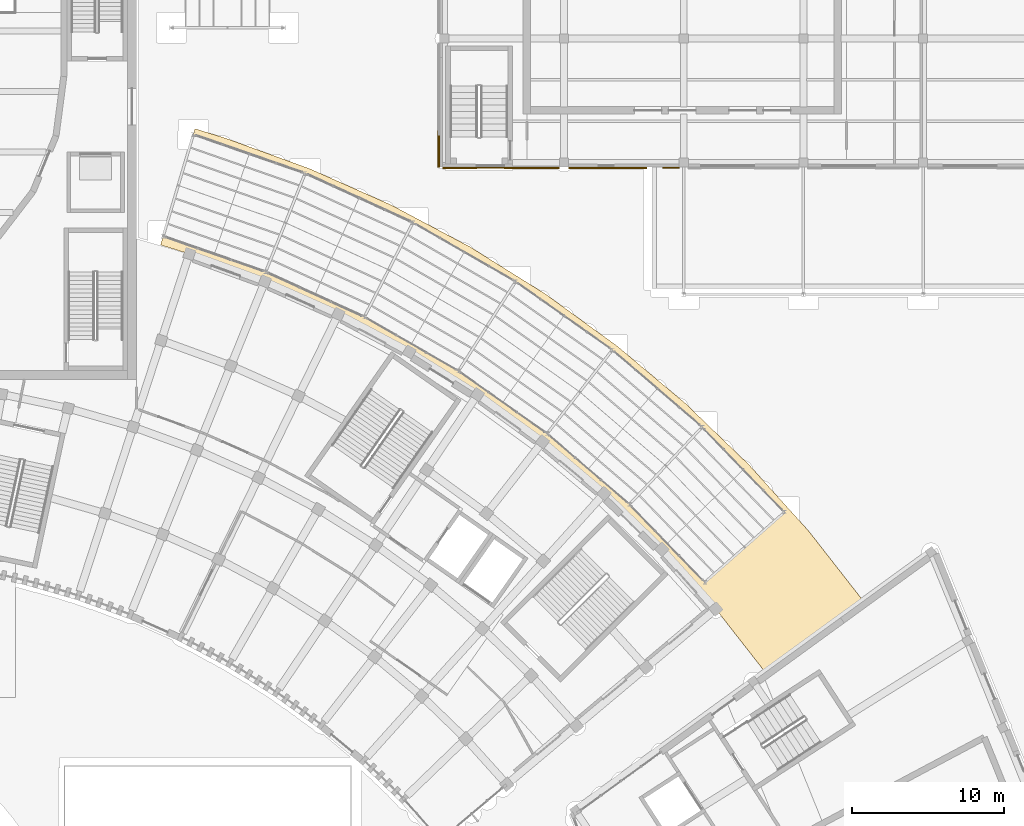
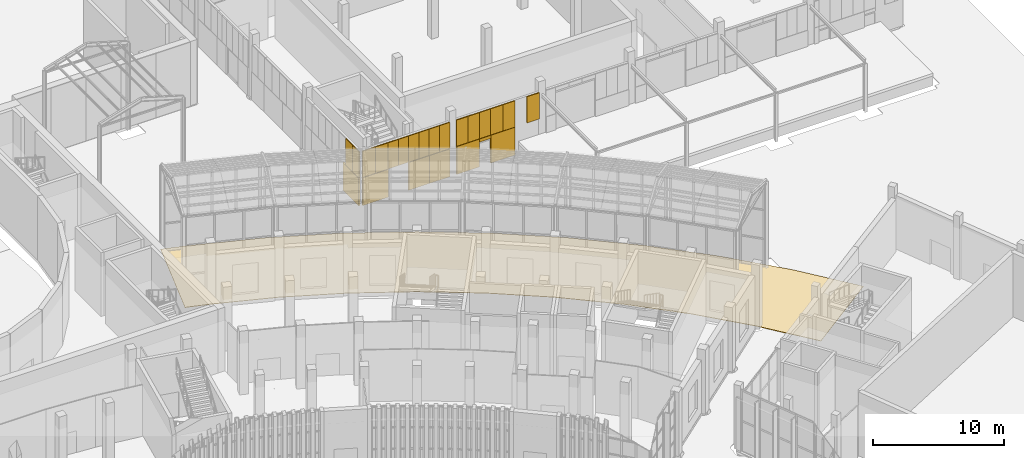
# One storey, part 146 of 155: 24 coverings.
"""IFC4 building model written with IfcOpenShell, lengths in metres."""

from ifc_helpers import new_model, si_unit, direction, frame, origin, origin_2d, place, context, subcontext, project, spatial, polyline, rectangle, outline, extrude, material, layer, layer_set, type_object, element, save


model = new_model("IFC4")

# Units and contexts
model_context = context("Model", 3, precision=1e-05, world=origin(), true_north=direction((0.0, 1.0)))
body_context = subcontext(model_context, "Body", "Model", "MODEL_VIEW")
ifc_project = project(units=[si_unit("LENGTHUNIT", "METRE"), si_unit("AREAUNIT", "SQUARE_METRE"), si_unit("VOLUMEUNIT", "CUBIC_METRE"), si_unit("PLANEANGLEUNIT", "RADIAN"), si_unit("MASSUNIT", "GRAM", prefix="KILO")], contexts=[model_context])

# Site, building, storey
site_placement = place(None, origin())
site = spatial("IfcSite", under=ifc_project, at=site_placement, CompositionType="ELEMENT")
building_placement = place(site_placement, origin())
building = spatial("IfcBuilding", under=site, at=building_placement, Name="Lunette Opera House", CompositionType="ELEMENT")
storey_placement = place(building_placement, origin())
storey = spatial("IfcBuildingStorey", under=building, at=storey_placement, Name="L00", CompositionType="ELEMENT", Elevation=0.0)

# Coverings
ifc_material_1 = material(Name="Clinker brick", Category="masonry")
ifc_layer_1 = layer(ifc_material_1, 0.114990234375)
ifc_layer_set_1 = layer_set([ifc_layer_1], Name="Clinker brick")
covering_type_1 = type_object("IfcCoveringType", Name="CLINKER CLADDING 115", PredefinedType="CLADDING", material=ifc_layer_set_1)
covering_1_placement = place(storey_placement, frame((135.94189453125, 79.2041015625, 0.0), z_axis=(0.0, 0.0, 1.0), x_axis=(0.0, -1.0, 0.0)))
element("IfcCovering", 1, at=covering_1_placement, inside=storey, type_object=covering_type_1, Name="Clinker Cladding 115 WB L00", PredefinedType="CLADDING", context=body_context, shape_type="SweptSolid", body=[
    extrude(rectangle(XDim=2.407958984375, YDim=0.114990234375, at=origin_2d()), origin(), (0.0, 0.0, 1.0), 2.60009765625),
])
covering_2_placement = place(storey_placement, frame((137.324951171875, 77.94189453125, 0.0), z_axis=(0.0, 0.0, 1.0), x_axis=(1.0, 0.0, 0.0)))
element("IfcCovering", 2, at=covering_2_placement, inside=storey, type_object=covering_type_1, Name="Clinker Cladding 115 WB L00", PredefinedType="CLADDING", context=body_context, shape_type="SweptSolid", body=[
    extrude(rectangle(XDim=2.25, YDim=0.114990234375, at=origin_2d()), origin(), (0.0, 0.0, 1.0), 2.60009765625),
])
for number, where, z_axis, x_axis, name in (
    (3, (141.162109375, 77.94189453125, 0.0), (0.0, 0.0, 1.0), (1.0, 0.0, 0.0), "Clinker Cladding 115 WB L00"),
    (4, (142.988037109375, 77.94189453125, 0.0), (0.0, 0.0, 1.0), (1.0, 0.0, 0.0), "Clinker Cladding 115 WB L00"),
):
    element("IfcCovering", number, at=place(storey_placement, frame(where, z_axis=z_axis, x_axis=x_axis)), inside=storey, type_object=covering_type_1, Name=name, PredefinedType="CLADDING", context=body_context, shape_type="SweptSolid", body=[
        extrude(rectangle(XDim=1.824951171875, YDim=0.114990234375, at=origin_2d()), origin(), (0.0, 0.0, 1.0), 2.60009765625),
    ])
covering_3_placement = place(storey_placement, frame((145.5, 77.94189453125, 0.0), z_axis=(0.0, 0.0, 1.0), x_axis=(1.0, 0.0, 0.0)))
element("IfcCovering", 5, at=covering_3_placement, inside=storey, type_object=covering_type_1, Name="Clinker Cladding 115 WB L00", PredefinedType="CLADDING", context=body_context, shape_type="SweptSolid", body=[
    extrude(rectangle(XDim=2.0, YDim=0.114990234375, at=origin_2d()), origin(), (0.0, 0.0, 1.0), 2.60009765625),
])
covering_4_placement = place(storey_placement, frame((147.0, 77.94189453125, 2.2998046875), z_axis=(0.0, 0.0, 1.0), x_axis=(1.0, 0.0, 0.0)))
element("IfcCovering", 6, at=covering_4_placement, inside=storey, type_object=covering_type_1, Name="Clinker Cladding 115 WB L00", PredefinedType="CLADDING", context=body_context, shape_type="SweptSolid", body=[
    extrude(rectangle(XDim=1.0, YDim=0.114990234375, at=origin_2d()), origin(), (0.0, 0.0, 1.0), 0.300048828125),
])
covering_5_placement = place(storey_placement, frame((148.574951171875, 77.94189453125, 0.0), z_axis=(0.0, 0.0, 1.0), x_axis=(1.0, 0.0, 0.0)))
element("IfcCovering", 7, at=covering_5_placement, inside=storey, type_object=covering_type_1, Name="Clinker Cladding 115 WB L00", PredefinedType="CLADDING", context=body_context, shape_type="SweptSolid", body=[
    extrude(rectangle(XDim=2.14990234375, YDim=0.114990234375, at=origin_2d()), origin(), (0.0, 0.0, 1.0), 2.60009765625),
])
ifc_material_2 = material(Name="Dark grey aluminium cassette", Category="aluminium")
ifc_layer_2 = layer(ifc_material_2, 0.080078125)
ifc_layer_set_2 = layer_set([ifc_layer_2], Name="Dark grey aluminium cassette")
covering_type_2 = type_object("IfcCoveringType", Name="DARK METAL CASSETTE 80", PredefinedType="CLADDING", material=ifc_layer_set_2)
for number, where, z_axis, x_axis, name in (
    (8, (135.9599609375, 79.548095703125, 2.60009765625), (0.0, 0.0, 1.0), (0.0, -1.0, 0.0), "Dark Metal Cassette 80 WK L00"),
    (9, (135.9599609375, 78.51611328125, 2.60009765625), (0.0, 0.0, 1.0), (0.0, -1.0, 0.0), "Dark Metal Cassette 80 WK L00"),
):
    element("IfcCovering", number, at=place(storey_placement, frame(where, z_axis=z_axis, x_axis=x_axis)), inside=storey, type_object=covering_type_2, Name=name, PredefinedType="CLADDING", context=body_context, shape_type="SweptSolid", body=[
        extrude(rectangle(XDim=1.031982421875, YDim=0.080078125, at=origin_2d()), origin(), (0.0, 0.0, 1.0), 2.449951171875),
    ])
for number, where, z_axis, x_axis, name in (
    (10, (136.761962890625, 77.9599609375, 2.60009765625), (0.0, 0.0, 1.0), (1.0, 0.0, 0.0), "Dark Metal Cassette 80 WK L00"),
    (11, (137.886962890625, 77.9599609375, 2.60009765625), (0.0, 0.0, 1.0), (1.0, 0.0, 0.0), "Dark Metal Cassette 80 WK L00"),
):
    element("IfcCovering", number, at=place(storey_placement, frame(where, z_axis=z_axis, x_axis=x_axis)), inside=storey, type_object=covering_type_2, Name=name, PredefinedType="CLADDING", context=body_context, shape_type="SweptSolid", body=[
        extrude(rectangle(XDim=1.125, YDim=0.080078125, at=origin_2d()), origin(), (0.0, 0.0, 1.0), 2.449951171875),
    ])
for number, where, z_axis, x_axis, name in (
    (12, (138.89990234375, 77.9599609375, 2.60009765625), (0.0, 0.0, 1.0), (1.0, 0.0, 0.0), "Dark Metal Cassette 80 WK L00"),
    (13, (139.800048828125, 77.9599609375, 2.60009765625), (0.0, 0.0, 1.0), (1.0, 0.0, 0.0), "Dark Metal Cassette 80 WK L00"),
):
    element("IfcCovering", number, at=place(storey_placement, frame(where, z_axis=z_axis, x_axis=x_axis)), inside=storey, type_object=covering_type_2, Name=name, PredefinedType="CLADDING", context=body_context, shape_type="SweptSolid", body=[
        extrude(rectangle(XDim=0.89990234375, YDim=0.080078125, at=origin_2d()), origin(), (0.0, 0.0, 1.0), 2.449951171875),
    ])
for number, where, z_axis, x_axis, name in (
    (14, (140.7060546875, 77.9599609375, 2.60009765625), (0.0, 0.0, 1.0), (1.0, 0.0, 0.0), "Dark Metal Cassette 80 WK L00"),
    (15, (141.618896484375, 77.9599609375, 2.60009765625), (0.0, 0.0, 1.0), (1.0, 0.0, 0.0), "Dark Metal Cassette 80 WK L00"),
    (16, (142.531005859375, 77.9599609375, 2.60009765625), (0.0, 0.0, 1.0), (1.0, 0.0, 0.0), "Dark Metal Cassette 80 WK L00"),
    (17, (143.444091796875, 77.9599609375, 2.60009765625), (0.0, 0.0, 1.0), (1.0, 0.0, 0.0), "Dark Metal Cassette 80 WK L00"),
):
    element("IfcCovering", number, at=place(storey_placement, frame(where, z_axis=z_axis, x_axis=x_axis)), inside=storey, type_object=covering_type_2, Name=name, PredefinedType="CLADDING", context=body_context, shape_type="SweptSolid", body=[
        extrude(rectangle(XDim=0.9130859375, YDim=0.080078125, at=origin_2d()), origin(), (0.0, 0.0, 1.0), 2.449951171875),
    ])
for number, where, z_axis, x_axis, name in (
    (18, (145.0, 77.9599609375, 2.60009765625), (0.0, 0.0, 1.0), (1.0, 0.0, 0.0), "Dark Metal Cassette 80 WK L00"),
    (19, (146.0, 77.9599609375, 2.60009765625), (0.0, 0.0, 1.0), (1.0, 0.0, 0.0), "Dark Metal Cassette 80 WK L00"),
):
    element("IfcCovering", number, at=place(storey_placement, frame(where, z_axis=z_axis, x_axis=x_axis)), inside=storey, type_object=covering_type_2, Name=name, PredefinedType="CLADDING", context=body_context, shape_type="SweptSolid", body=[
        extrude(rectangle(XDim=1.0, YDim=0.080078125, at=origin_2d()), origin(), (0.0, 0.0, 1.0), 2.449951171875),
    ])
covering_6_placement = place(storey_placement, frame((147.0, 77.9599609375, 2.300048828125), z_axis=(0.0, 0.0, 1.0), x_axis=(1.0, 0.0, 0.0)))
element("IfcCovering", 20, at=covering_6_placement, inside=storey, type_object=covering_type_2, Name="Dark Metal Cassette 80 WK L00", PredefinedType="CLADDING", context=body_context, shape_type="SweptSolid", body=[
    extrude(rectangle(XDim=1.0, YDim=0.080078125, at=origin_2d()), origin(), (0.0, 0.0, 1.0), 2.75),
])
for number, where, z_axis, x_axis, name in (
    (21, (148.037109375, 77.9599609375, 2.60009765625), (0.0, 0.0, 1.0), (1.0, 0.0, 0.0), "Dark Metal Cassette 80 WK L00"),
    (22, (149.113037109375, 77.9599609375, 2.60009765625), (0.0, 0.0, 1.0), (1.0, 0.0, 0.0), "Dark Metal Cassette 80 WK L00"),
    (23, (151.262939453125, 77.9599609375, 2.60009765625), (0.0, 0.0, 1.0), (1.0, 0.0, 0.0), "Dark Metal Cassette 80 WK L00"),
):
    element("IfcCovering", number, at=place(storey_placement, frame(where, z_axis=z_axis, x_axis=x_axis)), inside=storey, type_object=covering_type_2, Name=name, PredefinedType="CLADDING", context=body_context, shape_type="SweptSolid", body=[
        extrude(rectangle(XDim=1.074951171875, YDim=0.080078125, at=origin_2d()), origin(), (0.0, 0.0, 1.0), 2.449951171875),
    ])
ifc_material_3 = material(Name="Timber", Category="wood")
ifc_layer_3 = layer(ifc_material_3, 0.0400390625)
ifc_layer_set_3 = layer_set([ifc_layer_3], Name="Timber")
covering_type_3 = type_object("IfcCoveringType", Name="TIMBER FLOOR FINISH 40", PredefinedType="FLOORING", material=ifc_layer_set_3)
covering_7_placement = place(storey_placement, origin())
element("IfcCovering", 24, at=covering_7_placement, inside=storey, type_object=covering_type_3, Name="Floor finish Public Passage East", PredefinedType="FLOORING", context=body_context, shape_type="SweptSolid", body=[
    extrude(outline(polyline([(132.822998046875, 75.4990234375), (138.0, 72.74609375), (142.971923828125, 69.638916015625), (147.716064453125, 66.193115234375), (152.20703125, 62.424072265625), (156.425048828125, 58.35107421875), (160.347900390625, 53.993896484375), (163.95703125, 49.3740234375), (157.485107421875, 44.672119140625), (154.218994140625, 48.85205078125), (150.669921875, 52.7939453125), (146.85400390625, 56.47900390625), (142.7900390625, 59.888916015625), (138.4990234375, 63.007080078125), (134.0, 65.818115234375), (129.31591796875, 68.30810546875), (124.469970703125, 70.466064453125), (119.485107421875, 72.280029296875), (117.5849609375, 72.8701171875), (119.85693359375, 80.541015625), (121.95703125, 79.888916015625), (127.467041015625, 77.883056640625), (132.822998046875, 75.4990234375)])), origin(), (0.0, 0.0, 1.0), 0.0400390625),
])

save(model, "model.ifc")
